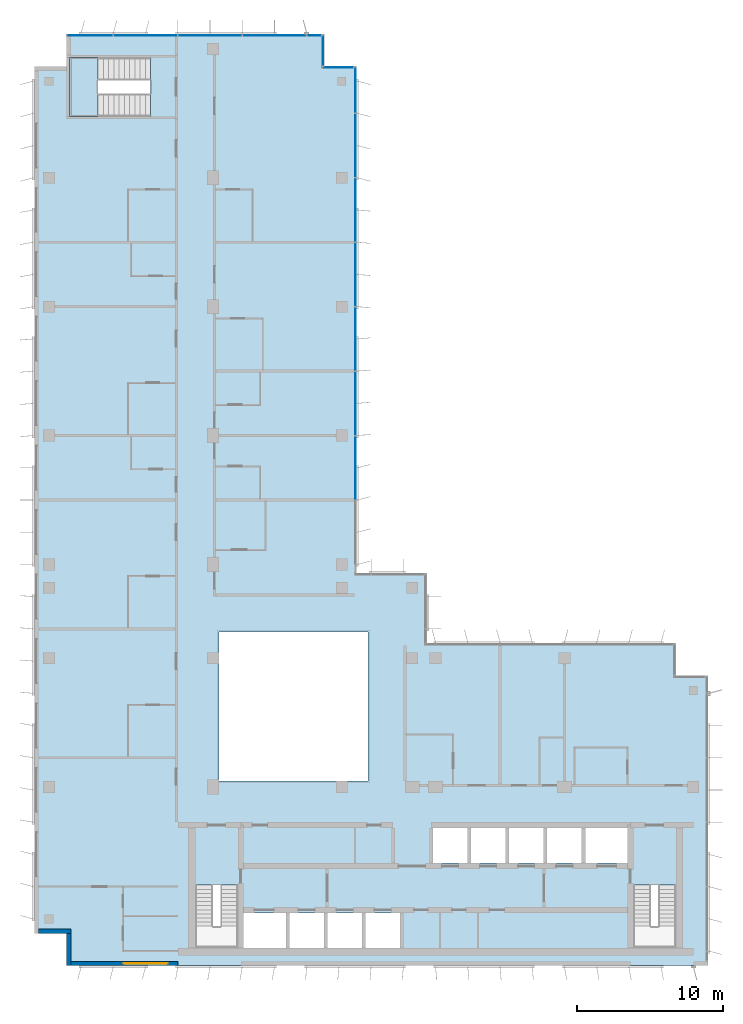
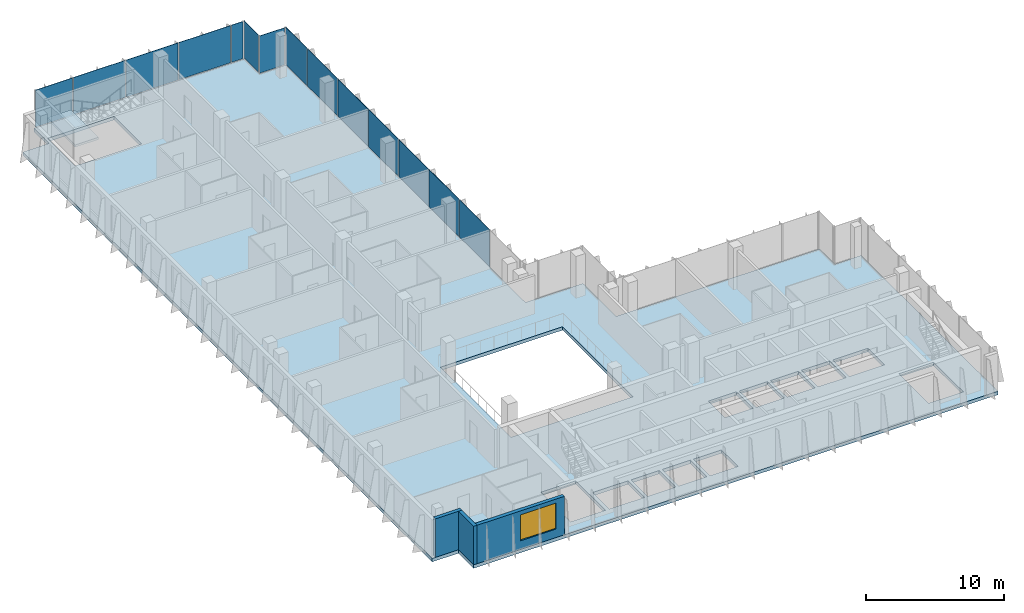
# One storey, part 8 of 16: 14 plates, 3 walls, 2 slabs, 1 window, 1 opening, 5 elements without a shape of their own.
"""IFC4 building model written with IfcOpenShell, lengths in metres."""

from ifc_helpers import new_model, si_unit, direction, frame, frame_2d, origin, origin_2d, place, context, subcontext, project, spatial, polyline, rectangle, outline, extrude, source, transform, mapped, material, layer, layer_set, type_object, element, fill, aggregate, save


model = new_model("IFC4")

# Units and contexts
model_context = context("Model", 3, precision=1e-05, world=origin(), true_north=direction((0.0, 1.0)))
body_context = subcontext(model_context, "Body", "Model", "MODEL_VIEW")
ifc_project = project(units=[si_unit("LENGTHUNIT", "METRE"), si_unit("AREAUNIT", "SQUARE_METRE"), si_unit("VOLUMEUNIT", "CUBIC_METRE"), si_unit("PLANEANGLEUNIT", "RADIAN"), si_unit("MASSUNIT", "GRAM", prefix="KILO")], contexts=[model_context])

# Site, building, storey
site_placement = place(None, origin())
site = spatial("IfcSite", under=ifc_project, at=site_placement, CompositionType="ELEMENT")
building_placement = place(site_placement, origin())
building = spatial("IfcBuilding", under=site, at=building_placement, Name="Kemantara Hotel Tower", CompositionType="ELEMENT")
storey_placement = place(building_placement, frame((0.0, 0.0, 272.199951171875)))
storey = spatial("IfcBuildingStorey", under=building, at=storey_placement, Name="L68", CompositionType="ELEMENT", Elevation=272.199951171875)

# Slab
ifc_material_1 = material(Name="Concrete fc 40 MPa", Category="concrete")
ifc_layer_1 = layer(ifc_material_1, 0.300048828125)
ifc_layer_set_1 = layer_set([ifc_layer_1], Name="Concrete fc 40 MPa")
slab_type_1 = type_object("IfcSlabType", Name="POST-TENSIONED FLAT PLATE 300", PredefinedType="FLOOR", material=ifc_layer_set_1)
slab_1_placement = place(storey_placement, frame((0.0, 0.0, -0.300048828125)))
element("IfcSlab", 1, at=slab_1_placement, inside=storey, type_object=slab_type_1, Name="FLOOR SLAB L68", PredefinedType="FLOOR", context=body_context, shape_type="SweptSolid", body=[
    extrude(outline(polyline([(22.0, 26.800048828125), (22.0, 61.39990234375), (19.800048828125, 61.39990234375), (19.800048828125, 63.60009765625), (2.199951171875, 63.60009765625), (2.199951171875, 61.39990234375), (0.0, 61.39990234375), (0.0, 2.199951171875), (2.199951171875, 2.199951171875), (2.199951171875, 0.0), (46.0, 0.0), (46.0, 19.800048828125), (43.800048828125, 19.800048828125), (43.800048828125, 22.0), (26.800048828125, 22.0), (26.800048828125, 26.800048828125), (22.0, 26.800048828125)]), holes=[polyline([(17.175048828125, 3.60009765625), (17.175048828125, 1.199951171875), (14.22509765625, 1.199951171875), (14.22509765625, 3.60009765625), (17.175048828125, 3.60009765625)]), polyline([(19.77490234375, 1.199951171875), (17.425048828125, 1.199951171875), (17.425048828125, 3.60009765625), (19.77490234375, 3.60009765625), (19.77490234375, 1.199951171875)]), polyline([(22.375, 1.199951171875), (20.02490234375, 1.199951171875), (20.02490234375, 3.60009765625), (22.375, 3.60009765625), (22.375, 1.199951171875)]), polyline([(24.97509765625, 3.60009765625), (24.97509765625, 1.199951171875), (22.625, 1.199951171875), (22.625, 3.60009765625), (24.97509765625, 3.60009765625)]), polyline([(11.0, 1.199951171875), (11.0, 5.49951171875), (13.89990234375, 5.49951171875), (13.89990234375, 1.199951171875), (11.0, 1.199951171875)]), polyline([(22.800048828125, 12.60009765625), (12.60009765625, 12.60009765625), (12.60009765625, 22.800048828125), (22.800048828125, 22.800048828125), (22.800048828125, 12.60009765625)]), polyline([(2.39990234375, 58.0), (2.39990234375, 62.0), (7.949462890625, 62.0), (7.949462890625, 58.0), (2.39990234375, 58.0)]), polyline([(40.89990234375, 1.199951171875), (40.89990234375, 5.49951171875), (43.800048828125, 5.49951171875), (43.800048828125, 1.199951171875), (40.89990234375, 1.199951171875)]), polyline([(29.574951171875, 7.0), (27.22509765625, 7.0), (27.22509765625, 9.39990234375), (29.574951171875, 9.39990234375), (29.574951171875, 7.0)]), polyline([(32.175048828125, 7.0), (29.824951171875, 7.0), (29.824951171875, 9.39990234375), (32.175048828125, 9.39990234375), (32.175048828125, 7.0)]), polyline([(34.77490234375, 7.0), (32.425048828125, 7.0), (32.425048828125, 9.39990234375), (34.77490234375, 9.39990234375), (34.77490234375, 7.0)]), polyline([(37.375, 7.0), (35.02490234375, 7.0), (35.02490234375, 9.39990234375), (37.375, 9.39990234375), (37.375, 7.0)]), polyline([(40.574951171875, 7.0), (37.625, 7.0), (37.625, 9.39990234375), (40.574951171875, 9.39990234375), (40.574951171875, 7.0)])]), origin(), (0.0, 0.0, 1.0), 0.300048828125),
])

# Stair, slab
stair_type = type_object("IfcStairType", Name="Stair 1550 wide 22 risers of 168 x 360 mm", PredefinedType="HALF_TURN_STAIR", material=ifc_material_1)
stair_placement = place(storey_placement, origin())
stair = element("IfcStair", 2, at=stair_placement, inside=storey, type_object=stair_type, Name="L68 Exit stair ST4", PredefinedType="HALF_TURN_STAIR")
ifc_layer_2 = layer(ifc_material_1, 0.199951171875)
ifc_layer_set_2 = layer_set([ifc_layer_2], Name="Concrete fc 40 MPa")
slab_type_2 = type_object("IfcSlabType", Name="Stair landing 200 mm", PredefinedType="LANDING", material=ifc_layer_set_2)
slab_2_placement = place(storey_placement, frame((0.0, 0.0, 1.650146484375)))
slab_2 = element("IfcSlab", 3, at=slab_2_placement, type_object=slab_type_2, Name="ST4 landing 1", PredefinedType="LANDING", context=body_context, shape_type="SweptSolid", body=[
    extrude(outline(polyline([(4.35009765625, 62.0), (2.39990234375, 62.0), (2.39990234375, 58.0), (4.35009765625, 58.0), (4.35009765625, 62.0)])), origin(), (0.0, 0.0, 1.0), 0.199951171875),
])
aggregate(stair, [slab_2])

# Curtain wall, plates
ifc_material_2 = material(Name="Low-E tinted double insulated glass 36 mm", Category="glass")
curtain_wall_type = type_object("IfcCurtainWallType", Name="TOWER CURTAIN WALL, FRONT FACES", PredefinedType="USERDEFINED", material=ifc_material_2)
curtain_wall_1_placement = place(storey_placement, origin())
curtain_wall_1 = element("IfcCurtainWall", 4, at=curtain_wall_1_placement, inside=storey, type_object=curtain_wall_type, Name="CW4 L68 T4-R02-1", ObjectType="TOWER CURTAIN WALL, FRONT FACES", PredefinedType="USERDEFINED")
ifc_layer_3 = layer(ifc_material_2, 0.035888671875)
ifc_layer_set_3 = layer_set([ifc_layer_3], Name="Low-E tinted double insulated glass 36 mm")
plate_type = type_object("IfcPlateType", Name="TOWER CURTAIN WALL, FRONT FACES PANEL", PredefinedType="CURTAIN_PANEL", material=ifc_layer_set_3)
shared_shape_1 = source(origin(), body_context, "Body", "SweptSolid", [
    extrude(rectangle(XDim=4.340087890625, YDim=0.035888671875, at=origin_2d()), origin(), (0.0, 0.0, 1.0), 3.280029296875),
])
plate_1_placement = place(storey_placement, frame((16.39990234375, 63.52490234375, 0.1201171875), z_axis=(0.0, 0.0, 1.0), x_axis=(-1.0, 0.0, 0.0)))
plate_1 = element("IfcPlate", 5, at=plate_1_placement, type_object=plate_type, Name="CW4 glass panel T4-R02-1.2", PredefinedType="CURTAIN_PANEL", context=body_context, shape_type="MappedRepresentation", body=[
    mapped(shared_shape_1, transform((0.0, 0.0, 0.0))),
])
plate_2_placement = place(storey_placement, frame((12.0, 63.52490234375, 0.1201171875), z_axis=(0.0, 0.0, 1.0), x_axis=(-1.0, 0.0, 0.0)))
plate_2 = element("IfcPlate", 6, at=plate_2_placement, type_object=plate_type, Name="CW4 glass panel T4-R02-1.3", PredefinedType="CURTAIN_PANEL", context=body_context, shape_type="MappedRepresentation", body=[
    mapped(shared_shape_1, transform((0.0, 0.0, 0.0))),
])
plate_3_placement = place(storey_placement, frame((7.60009765625, 63.52490234375, 0.1201171875), z_axis=(0.0, 0.0, 1.0), x_axis=(-1.0, 0.0, 0.0)))
plate_3 = element("IfcPlate", 7, at=plate_3_placement, type_object=plate_type, Name="CW4 glass panel T4-R02-1.4", PredefinedType="CURTAIN_PANEL", context=body_context, shape_type="MappedRepresentation", body=[
    mapped(shared_shape_1, transform((0.0, 0.0, 0.0))),
])

curtain_wall_2_placement = place(storey_placement, origin())
curtain_wall_2 = element("IfcCurtainWall", 8, at=curtain_wall_2_placement, inside=storey, type_object=curtain_wall_type, Name="CW4 L68 T4-R15-1", ObjectType="TOWER CURTAIN WALL, FRONT FACES", PredefinedType="USERDEFINED")
plate_4_placement = place(storey_placement, frame((21.925048828125, 34.0, 0.1201171875), z_axis=(0.0, 0.0, 1.0), x_axis=(0.0, 1.0, 0.0)))
plate_4 = element("IfcPlate", 9, at=plate_4_placement, type_object=plate_type, Name="CW4 glass panel T4-R15-1.3", PredefinedType="CURTAIN_PANEL", context=body_context, shape_type="MappedRepresentation", body=[
    mapped(shared_shape_1, transform((0.0, 0.0, 0.0))),
])
plate_5_placement = place(storey_placement, frame((21.925048828125, 38.39990234375, 0.1201171875), z_axis=(0.0, 0.0, 1.0), x_axis=(0.0, 1.0, 0.0)))
plate_5 = element("IfcPlate", 10, at=plate_5_placement, type_object=plate_type, Name="CW4 glass panel T4-R15-1.4", PredefinedType="CURTAIN_PANEL", context=body_context, shape_type="MappedRepresentation", body=[
    mapped(shared_shape_1, transform((0.0, 0.0, 0.0))),
])
plate_6_placement = place(storey_placement, frame((21.925048828125, 42.800048828125, 0.1201171875), z_axis=(0.0, 0.0, 1.0), x_axis=(0.0, 1.0, 0.0)))
plate_6 = element("IfcPlate", 11, at=plate_6_placement, type_object=plate_type, Name="CW4 glass panel T4-R15-1.5", PredefinedType="CURTAIN_PANEL", context=body_context, shape_type="MappedRepresentation", body=[
    mapped(shared_shape_1, transform((0.0, 0.0, 0.0))),
])
plate_7_placement = place(storey_placement, frame((21.925048828125, 47.199951171875, 0.1201171875), z_axis=(0.0, 0.0, 1.0), x_axis=(0.0, 1.0, 0.0)))
plate_7 = element("IfcPlate", 12, at=plate_7_placement, type_object=plate_type, Name="CW4 glass panel T4-R15-1.6", PredefinedType="CURTAIN_PANEL", context=body_context, shape_type="MappedRepresentation", body=[
    mapped(shared_shape_1, transform((0.0, 0.0, 0.0))),
])
plate_8_placement = place(storey_placement, frame((21.925048828125, 51.60009765625, 0.1201171875), z_axis=(0.0, 0.0, 1.0), x_axis=(0.0, 1.0, 0.0)))
plate_8 = element("IfcPlate", 13, at=plate_8_placement, type_object=plate_type, Name="CW4 glass panel T4-R15-1.7", PredefinedType="CURTAIN_PANEL", context=body_context, shape_type="MappedRepresentation", body=[
    mapped(shared_shape_1, transform((0.0, 0.0, 0.0))),
])
plate_9_placement = place(storey_placement, frame((21.925048828125, 56.0, 0.1201171875), z_axis=(0.0, 0.0, 1.0), x_axis=(0.0, 1.0, 0.0)))
plate_9 = element("IfcPlate", 14, at=plate_9_placement, type_object=plate_type, Name="CW4 glass panel T4-R15-1.8", PredefinedType="CURTAIN_PANEL", context=body_context, shape_type="MappedRepresentation", body=[
    mapped(shared_shape_1, transform((0.0, 0.0, 0.0))),
])

# Plate
shared_shape_2 = source(origin(), body_context, "Body", "SweptSolid", [
    extrude(rectangle(XDim=3.110107421875, YDim=0.035888671875, at=origin_2d()), origin(), (0.0, 0.0, 1.0), 3.280029296875),
])
plate_10_placement = place(storey_placement, frame((3.81494140625, 63.52490234375, 0.1201171875), z_axis=(0.0, 0.0, 1.0), x_axis=(-1.0, 0.0, 0.0)))
plate_10 = element("IfcPlate", 15, at=plate_10_placement, type_object=plate_type, Name="CW4 glass panel T4-R02-1.5", PredefinedType="CURTAIN_PANEL", context=body_context, shape_type="MappedRepresentation", body=[
    mapped(shared_shape_2, transform((0.0, 0.0, 0.0))),
])

plate_11_placement = place(storey_placement, frame((21.925048828125, 59.784912109375, 0.1201171875), z_axis=(0.0, 0.0, 1.0), x_axis=(0.0, 1.0, 0.0)))
plate_11 = element("IfcPlate", 16, at=plate_11_placement, type_object=plate_type, Name="CW4 glass panel T4-R15-1.9", PredefinedType="CURTAIN_PANEL", context=body_context, shape_type="MappedRepresentation", body=[
    mapped(shared_shape_2, transform((0.0, 0.0, 0.0))),
])

aggregate(curtain_wall_2, [plate_4, plate_5, plate_6, plate_7, plate_8, plate_9, plate_11])

# Curtain wall, plate
curtain_wall_3_placement = place(storey_placement, origin())
curtain_wall_3 = element("IfcCurtainWall", 17, at=curtain_wall_3_placement, inside=storey, type_object=curtain_wall_type, Name="CW4 L68 T4-R00-1", ObjectType="TOWER CURTAIN WALL, FRONT FACES", PredefinedType="USERDEFINED")
shared_shape_3 = source(origin(), body_context, "Body", "SweptSolid", [
    extrude(rectangle(XDim=2.080078125, YDim=0.035888671875, at=origin_2d()), origin(), (0.0, 0.0, 1.0), 3.280029296875),
])
plate_12_placement = place(storey_placement, frame((20.75, 61.324951171875, 0.1201171875), z_axis=(0.0, 0.0, 1.0), x_axis=(-1.0, 0.0, 0.0)))
plate_12 = element("IfcPlate", 18, at=plate_12_placement, type_object=plate_type, Name="CW4 glass panel T4-R00-1.1", PredefinedType="CURTAIN_PANEL", context=body_context, shape_type="MappedRepresentation", body=[
    mapped(shared_shape_3, transform((0.0, 0.0, 0.0))),
])
aggregate(curtain_wall_3, [plate_12])

curtain_wall_4_placement = place(storey_placement, origin())
curtain_wall_4 = element("IfcCurtainWall", 19, at=curtain_wall_4_placement, inside=storey, type_object=curtain_wall_type, Name="CW4 L68 T4-R01-1", ObjectType="TOWER CURTAIN WALL, FRONT FACES", PredefinedType="USERDEFINED")
plate_13_placement = place(storey_placement, frame((19.72509765625, 62.5, 0.1201171875), z_axis=(0.0, 0.0, 1.0), x_axis=(0.0, 1.0, 0.0)))
plate_13 = element("IfcPlate", 20, at=plate_13_placement, type_object=plate_type, Name="CW4 glass panel T4-R01-1.1", PredefinedType="CURTAIN_PANEL", context=body_context, shape_type="MappedRepresentation", body=[
    mapped(shared_shape_3, transform((0.0, 0.0, 0.0))),
])
aggregate(curtain_wall_4, [plate_13])

# Plate
shared_shape_4 = source(origin(), body_context, "Body", "SweptSolid", [
    extrude(rectangle(XDim=0.9599609375, YDim=0.035888671875, at=origin_2d()), origin(), (0.0, 0.0, 1.0), 3.280029296875),
])
plate_14_placement = place(storey_placement, frame((19.110107421875, 63.52490234375, 0.1201171875), z_axis=(0.0, 0.0, 1.0), x_axis=(-1.0, 0.0, 0.0)))
plate_14 = element("IfcPlate", 21, at=plate_14_placement, type_object=plate_type, Name="CW4 glass panel T4-R02-1.1", PredefinedType="CURTAIN_PANEL", context=body_context, shape_type="MappedRepresentation", body=[
    mapped(shared_shape_4, transform((0.0, 0.0, 0.0))),
])

aggregate(curtain_wall_1, [plate_14, plate_1, plate_2, plate_3, plate_10])

# Walls
ifc_material_3 = material(Name="Bronze anodised aluminium cladding on insulated steel stud wall", Category="steel")
ifc_layer_4 = layer(ifc_material_3, 0.300048828125)
ifc_layer_set_4 = layer_set([ifc_layer_4], Name="Bronze anodised aluminium cladding on insulated steel stud wall")
wall_type = type_object("IfcWallType", Name="BRONZE METAL-CLAD EXTERNAL WALL 300", PredefinedType="STANDARD", material=ifc_layer_set_4)
for number, where, z_axis, x_axis, name in (
    (22, (0.300048828125, 2.35009765625, 0.0), (0.0, 0.0, 1.0), (1.0, 0.0, 0.0), "EXTERNAL WALL L68 T4-R06"),
    (23, (2.35009765625, 2.199951171875, 0.0), (0.0, 0.0, 1.0), (0.0, -1.0, 0.0), "EXTERNAL WALL L68 T4-R07"),
):
    element("IfcWall", number, at=place(storey_placement, frame(where, z_axis=z_axis, x_axis=x_axis)), inside=storey, type_object=wall_type, Name=name, PredefinedType="STANDARD", context=body_context, shape_type="SweptSolid", body=[
        extrude(rectangle(XDim=2.199951171875, YDim=0.300048828125, at=frame_2d((1.10009765625, 0.0))), origin(), (0.0, 0.0, 1.0), 3.400146484375),
    ])

# Wall, opening, window
wall_placement = place(storey_placement, frame((2.5, 0.14990234375, 0.0), z_axis=(0.0, 0.0, 1.0), x_axis=(1.0, 0.0, 0.0)))
wall = element("IfcWall", 24, at=wall_placement, inside=storey, type_object=wall_type, Name="EXTERNAL WALL L68 T4-R08", PredefinedType="STANDARD", context=body_context, shape_type="SweptSolid", body=[
    extrude(rectangle(XDim=7.300048828125, YDim=0.300048828125, at=frame_2d((3.64990234375, 0.0))), origin(), (0.0, 0.0, 1.0), 3.400146484375),
])
opening_placement = place(wall_placement, frame((3.60009765625, 0.0, 0.75)))
opening = element("IfcOpeningElement", 25, at=opening_placement, cuts=wall, Name="Opening W1", PredefinedType="OPENING", context=body_context, shape_type="SweptSolid", body=[
    extrude(rectangle(XDim=3.0, YDim=2.300048828125, at=frame_2d((1.5, 1.14990234375))), frame((0.0, 0.159912109375, 0.0), z_axis=(0.0, -1.0, 0.0), x_axis=(1.0, 0.0, 0.0)), (0.0, 0.0, 1.0), 0.320068359375),
])
ifc_material_4 = material(Name="Low-E tinted double insulated glass in bronze anodised aluminium frame", Category="aluminium")
window_type = type_object("IfcWindowType", Name="CHICAGO WINDOW, TRIPLE PANEL 3000x2300", PartitioningType="TRIPLE_PANEL_VERTICAL", PredefinedType="WINDOW", material=ifc_material_4)
window_placement = place(opening_placement, origin())
window = element("IfcWindow", 26, at=window_placement, inside=storey, type_object=window_type, Name="CHICAGO WINDOW L68 T4-R08-54", OverallHeight=2.300048828125, OverallWidth=3.0, PartitioningType="SINGLE_PANEL", PredefinedType="WINDOW", context=body_context, shape_type="SweptSolid", body=[
    extrude(rectangle(XDim=3.0, YDim=2.300048828125, at=frame_2d((1.5, 1.14990234375))), frame((0.0, 0.030029296875, 0.0), z_axis=(0.0, -1.0, 0.0), x_axis=(1.0, 0.0, 0.0)), (0.0, 0.0, 1.0), 0.06005859375),
])
fill(opening, window)

save(model, "model.ifc")
